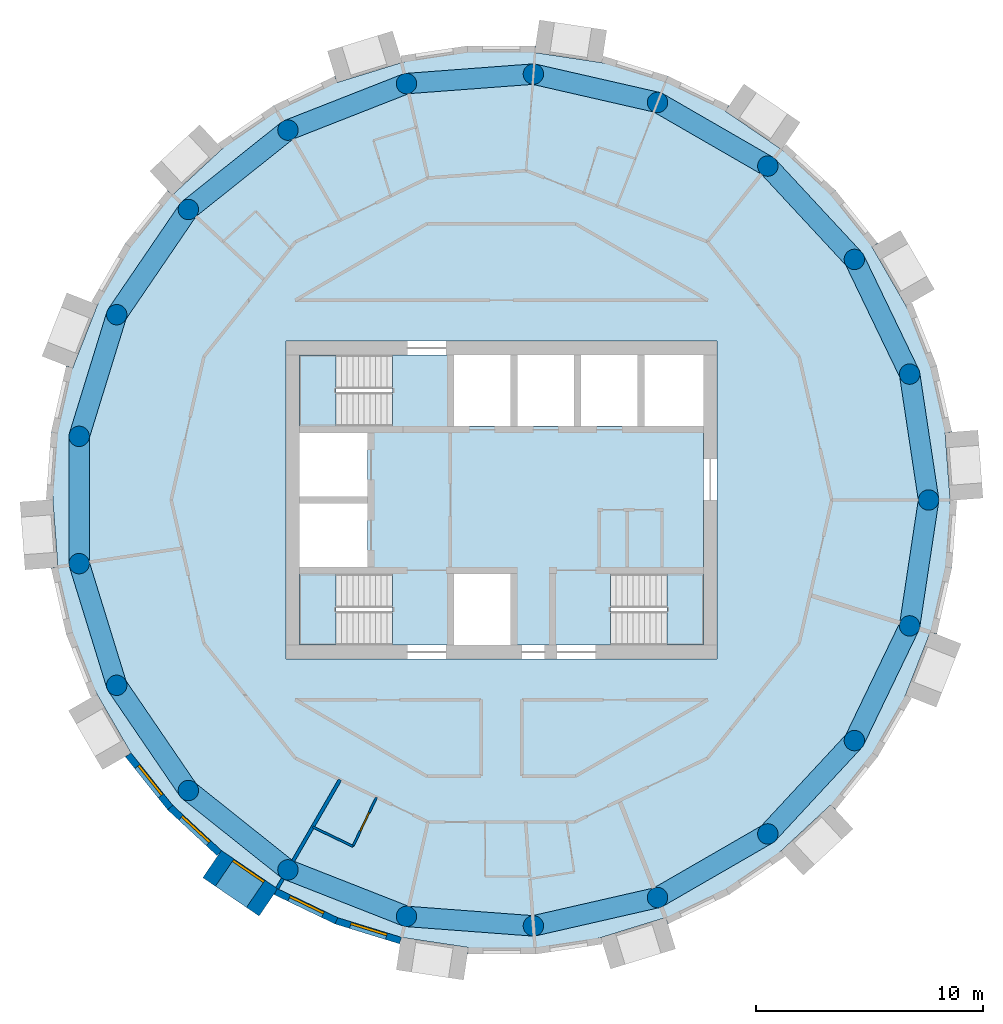
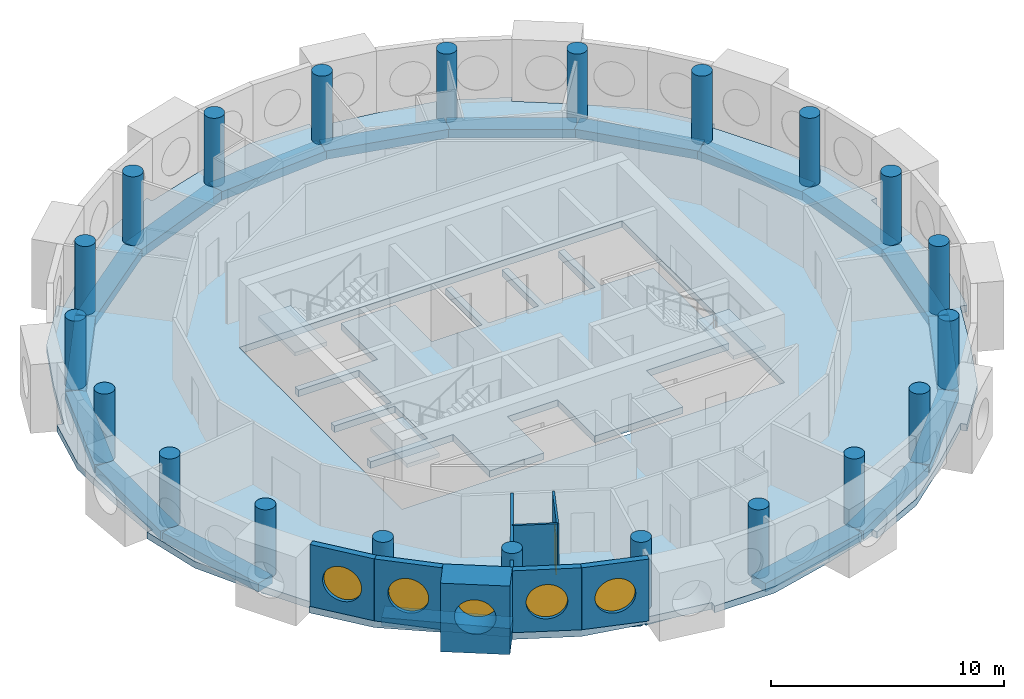
# One storey, part 1 of 13: 21 beams, 21 columns, 8 walls, 5 slabs, 5 windows, 1 door, 6 openings, 3 elements without a shape of their own.
"""IFC4 building model written with IfcOpenShell, lengths in metres."""

import ifcopenshell
import ifcopenshell.guid

model = None  # the IFC model being written
_history = None  # IfcOwnerHistory: only IFC2X3 demands one
_inside = {}  # id of a spatial element -> (the spatial element, [elements in it])
_under = {}  # id of a project, library or spatial element -> (it, [spatial elements below it])
_declared = {}  # id of a project -> (the project, [libraries it declares])
_typed = {}  # id of a type object -> (the type object, [elements of that type])
_made_of = {}  # id of a material, layer set ... -> (it, [elements and type objects made of it])


def new_model(schema):
    """Start an empty IFC model of exactly this schema.

    Asked for "IFC4X3", IfcOpenShell would pick the latest addendum, in which some entities
    have other attributes; the version numbers below select the first issue.
    IFC2X3 requires an IfcOwnerHistory on every rooted entity: one is made here for all.
    """
    global model, _history
    if schema == "IFC4X3":
        model = ifcopenshell.file(schema_version=(4, 3, 0, 0))
    else:
        model = ifcopenshell.file(schema=schema)
    _inside.clear()
    _under.clear()
    _declared.clear()
    _typed.clear()
    _made_of.clear()
    _history = None
    if model.schema == "IFC2X3":
        org = make("IfcOrganization", Name="unknown")
        user = make(
            "IfcPersonAndOrganization",
            ThePerson=make("IfcPerson", FamilyName="unknown"),
            TheOrganization=org,
        )
        app = make(
            "IfcApplication",
            ApplicationDeveloper=org,
            Version="unknown",
            ApplicationFullName="unknown",
            ApplicationIdentifier="unknown",
        )
        _history = make(
            "IfcOwnerHistory",
            OwningUser=user,
            OwningApplication=app,
            ChangeAction="ADDED",
            CreationDate=0,
        )
    return model


def make(cls, **values):
    """One entity of the class cls with the attributes given. An attribute that is None is left unset."""
    return model.create_entity(
        cls, **{name: value for name, value in values.items() if value is not None}
    )


def rooted(cls, **values):
    """An entity with a GlobalId (a new one), such as an element, a storey or a relation."""
    return make(cls, GlobalId=ifcopenshell.guid.new(), OwnerHistory=_history, **values)


def si_unit(unit_type, name, prefix=None):
    """IfcSIUnit, for example si_unit("LENGTHUNIT", "METRE", prefix="MILLI")."""
    return make("IfcSIUnit", UnitType=unit_type, Prefix=prefix, Name=name)


def assignment(units):
    """IfcUnitAssignment: the units of a project."""
    return None if units is None else make("IfcUnitAssignment", Units=units)


def point(xyz):
    """IfcCartesianPoint."""
    return None if xyz is None else make("IfcCartesianPoint", Coordinates=xyz)


def direction(xyz):
    """IfcDirection."""
    return None if xyz is None else make("IfcDirection", DirectionRatios=xyz)


def frame(location, z_axis=None, x_axis=None):
    """IfcAxis2Placement3D, a coordinate frame: its origin and axes. An axis left out is left unset."""
    return make(
        "IfcAxis2Placement3D",
        Location=point(location),
        Axis=direction(z_axis),
        RefDirection=direction(x_axis),
    )


def frame_2d(location, x_axis=None):
    """IfcAxis2Placement2D, a coordinate frame in the plane: its origin and x axis."""
    return make(
        "IfcAxis2Placement2D", Location=point(location), RefDirection=direction(x_axis)
    )


def origin():
    """The frame at (0, 0, 0) with its axes left unset."""
    return frame((0.0, 0.0, 0.0))


def origin_2d():
    """The frame at (0, 0) in the plane with its x axis left unset."""
    return frame_2d((0.0, 0.0))


def place(relative_to, where):
    """IfcLocalPlacement: puts the frame where relative to a parent placement (None: the world)."""
    return make(
        "IfcLocalPlacement", PlacementRelTo=relative_to, RelativePlacement=where
    )


def context(
    kind, dimensions, precision=None, world=None, true_north=None, identifier=None
):
    """IfcGeometricRepresentationContext, for example the 3D "Model" context."""
    return make(
        "IfcGeometricRepresentationContext",
        ContextIdentifier=identifier,
        ContextType=kind,
        CoordinateSpaceDimension=dimensions,
        Precision=precision,
        WorldCoordinateSystem=world,
        TrueNorth=true_north,
    )


def subcontext(parent, identifier, kind, view, scale=None):
    """IfcGeometricRepresentationSubContext, for example "Body" below "Model"."""
    return make(
        "IfcGeometricRepresentationSubContext",
        ContextIdentifier=identifier,
        ContextType=kind,
        ParentContext=parent,
        TargetScale=scale,
        TargetView=view,
    )


def project(units=None, contexts=None):
    """IfcProject with its units and contexts."""
    return rooted(
        "IfcProject",
        Name="project",
        RepresentationContexts=contexts,
        UnitsInContext=assignment(units),
    )


def spatial(cls, under=None, at=None, **own):
    """A site, building, storey or space (cls), placed at a placement, below another one or the project."""
    s = rooted(cls, ObjectPlacement=at, **own)
    if under is not None:
        _under.setdefault(under.id(), (under, []))[1].append(s)
    return s


def polyline(points):
    """IfcPolyline through the points."""
    return make("IfcPolyline", Points=[point(p) for p in points])


def profile(cls, at=None, kind="AREA", **sizes):
    """A parametric profile (cls). Its sizes go by their IFC names, for example OverallWidth=200.0."""
    return make(cls, ProfileType=kind, Position=at, **sizes)


def rectangle(**sizes):
    """IfcRectangleProfileDef."""
    return profile("IfcRectangleProfileDef", **sizes)


def circle(**sizes):
    """IfcCircleProfileDef."""
    return profile("IfcCircleProfileDef", **sizes)


def outline(outer, holes=None, kind="AREA"):
    """IfcArbitraryClosedProfileDef: a profile drawn as a closed curve; with holes, ...WithVoids."""
    if holes is None:
        return make("IfcArbitraryClosedProfileDef", ProfileType=kind, OuterCurve=outer)
    return make(
        "IfcArbitraryProfileDefWithVoids",
        ProfileType=kind,
        OuterCurve=outer,
        InnerCurves=holes,
    )


def extrude(swept, where, along, depth):
    """IfcExtrudedAreaSolid: the profile swept, set in the frame where, extruded along a direction by depth."""
    return make(
        "IfcExtrudedAreaSolid",
        SweptArea=swept,
        Position=where,
        ExtrudedDirection=direction(along),
        Depth=depth,
    )


def shape(context_of_items, identifier, shape_type, items):
    """IfcShapeRepresentation: the items that make up one representation, for example the "Body"."""
    return make(
        "IfcShapeRepresentation",
        ContextOfItems=context_of_items,
        RepresentationIdentifier=identifier,
        RepresentationType=shape_type,
        Items=items,
    )


def material(Name=None, Category=None):
    """IfcMaterial."""
    return make("IfcMaterial", Name=Name, Category=Category)


def layer(
    of_material, thickness, ventilated=None, Name=None, Category=None, Priority=None
):
    """IfcMaterialLayer: one layer of a wall or slab, of a material (None: an air gap)."""
    return make(
        "IfcMaterialLayer",
        Material=of_material,
        LayerThickness=thickness,
        IsVentilated=ventilated,
        Name=Name,
        Category=Category,
        Priority=Priority,
    )


def layer_set(layers, Name=None):
    """IfcMaterialLayerSet."""
    return make("IfcMaterialLayerSet", MaterialLayers=layers, LayerSetName=Name)


def material_profile(
    of_material, cross_section, Name=None, Category=None, Priority=None
):
    """IfcMaterialProfile: a cross section and its material."""
    return make(
        "IfcMaterialProfile",
        Name=Name,
        Material=of_material,
        Profile=cross_section,
        Priority=Priority,
        Category=Category,
    )


def profile_set(profiles, Name=None, composite=None):
    """IfcMaterialProfileSet."""
    return make(
        "IfcMaterialProfileSet",
        Name=Name,
        MaterialProfiles=profiles,
        CompositeProfile=composite,
    )


def made_of(thing, what):
    """Note that an element or type object is made of a material, layer set ...; save() writes the relation."""
    if what is not None:
        _made_of.setdefault(what.id(), (what, []))[1].append(thing)
    return thing


def type_object(cls, material=None, **own):
    """A type object (cls), such as IfcWallType, which elements share."""
    return made_of(rooted(cls, **own), material)


def element(
    cls,
    number,
    at=None,
    inside=None,
    cuts=None,
    type_object=None,
    material=None,
    context=None,
    identifier="Body",
    shape_type=None,
    held_by="IfcProductDefinitionShape",
    body=None,
    shapes=None,
    **own,
):
    """One element of the class cls, such as IfcWall. Its Tag is "e" and its number.

    at: its placement. inside: the storey or other place that contains it. cuts: it is an
    opening in that element (IfcRelVoidsElement). A single representation is given by context,
    identifier, shape_type and body (its items); several are given by shapes. held_by: the class
    of the entity that holds the representations. save() writes the other relations.
    """
    e = rooted(cls, Tag="e%d" % number, ObjectPlacement=at, **own)
    if body is not None:
        shapes = [shape(context, identifier, shape_type, body)]
    if shapes is not None:
        e.Representation = make(held_by, Representations=shapes)
    if inside is not None:
        _inside.setdefault(inside.id(), (inside, []))[1].append(e)
    if cuts is not None:
        rooted(
            "IfcRelVoidsElement", RelatingBuildingElement=cuts, RelatedOpeningElement=e
        )
    if type_object is not None:
        _typed.setdefault(type_object.id(), (type_object, []))[1].append(e)
    return made_of(e, material)


def fill(opening, filler):
    """IfcRelFillsElement: the door or window that sits in an opening."""
    return rooted(
        "IfcRelFillsElement",
        RelatingOpeningElement=opening,
        RelatedBuildingElement=filler,
    )


def aggregate(whole, parts):
    """IfcRelAggregates: a whole, such as a stair, and the parts it consists of."""
    return rooted("IfcRelAggregates", RelatingObject=whole, RelatedObjects=parts)


def save(model, path):
    """Write the relations noted so far, then the file.

    IfcRelAggregates (storeys below a building ...), IfcRelContainedInSpatialStructure (elements
    in a storey), IfcRelDefinesByType, IfcRelAssociatesMaterial and IfcRelDeclares: one each for
    every whole, place, type object, material and project.
    """
    for whole, parts in _under.values():
        aggregate(whole, parts)
    for where, things in _inside.values():
        rooted(
            "IfcRelContainedInSpatialStructure",
            RelatedElements=things,
            RelatingStructure=where,
        )
    for kind, things in _typed.values():
        rooted("IfcRelDefinesByType", RelatedObjects=things, RelatingType=kind)
    for what, things in _made_of.values():
        rooted("IfcRelAssociatesMaterial", RelatedObjects=things, RelatingMaterial=what)
    for by, libraries in _declared.values():
        rooted("IfcRelDeclares", RelatingContext=by, RelatedDefinitions=libraries)
    model.write(path)


model = new_model("IFC4")

# Units and contexts
model_context = context("Model", 3, precision=1e-05, world=origin(), true_north=direction((0.0, 1.0)))
body_context = subcontext(model_context, "Body", "Model", "MODEL_VIEW")
ifc_project = project(units=[si_unit("LENGTHUNIT", "METRE"), si_unit("AREAUNIT", "SQUARE_METRE"), si_unit("VOLUMEUNIT", "CUBIC_METRE"), si_unit("PLANEANGLEUNIT", "RADIAN"), si_unit("MASSUNIT", "GRAM", prefix="KILO")], contexts=[model_context])

# Site, building, storey
site_placement = place(None, origin())
site = spatial("IfcSite", under=ifc_project, at=site_placement, CompositionType="ELEMENT")
building_placement = place(site_placement, origin())
building = spatial("IfcBuilding", under=site, at=building_placement, Name="Tracery Tower", CompositionType="ELEMENT")
storey_placement = place(building_placement, frame((0.0, 0.0, 316.199951171875)))
storey = spatial("IfcBuildingStorey", under=building, at=storey_placement, Name="L82", CompositionType="ELEMENT", Elevation=316.199951171875)

# Columns
ifc_material_1 = material(Name="Concrete C40/50", Category="concrete")
ifc_material_profile_1 = material_profile(ifc_material_1, circle(Radius=0.449951171875, at=origin_2d()), Name="RC D900")
ifc_profile_set_1 = profile_set([ifc_material_profile_1], Name="Concrete C40/50")
column_type = type_object("IfcColumnType", Name="Ring 2 column 900", PredefinedType="COLUMN", material=ifc_profile_set_1)
for number, where, z_axis, x_axis, name in (
    (1, (18.822265625, 0.0, 0.0), (0.0, 0.0, 1.0), (1.0, 0.0, 0.0), "Ring 2 column 00 at L82"),
    (2, (17.986083984375, 5.5478515625, 0.0), (0.0, 0.0, 1.0), (1.0, 0.0, 0.0), "Ring 2 column 01 at L82"),
    (3, (15.551513671875, 10.602783203125, 0.0), (0.0, 0.0, 1.0), (1.0, 0.0, 0.0), "Ring 2 column 02 at L82"),
    (4, (11.7353515625, 14.7158203125, 0.0), (0.0, 0.0, 1.0), (1.0, 0.0, 0.0), "Ring 2 column 03 at L82"),
    (5, (6.87646484375, 17.52099609375, 0.0), (0.0, 0.0, 1.0), (1.0, 0.0, 0.0), "Ring 2 column 04 at L82"),
    (6, (1.406494140625, 18.76953125, 0.0), (0.0, 0.0, 1.0), (1.0, 0.0, 0.0), "Ring 2 column 05 at L82"),
    (7, (-4.188232421875, 18.350341796875, 0.0), (0.0, 0.0, 1.0), (1.0, 0.0, 0.0), "Ring 2 column 06 at L82"),
    (8, (-9.4111328125, 16.300537109375, 0.0), (0.0, 0.0, 1.0), (1.0, 0.0, 0.0), "Ring 2 column 07 at L82"),
    (9, (-13.797607421875, 12.802490234375, 0.0), (0.0, 0.0, 1.0), (1.0, 0.0, 0.0), "Ring 2 column 08 at L82"),
    (10, (-16.958251953125, 8.16650390625, 0.0), (0.0, 0.0, 1.0), (1.0, 0.0, 0.0), "Ring 2 column 09 at L82"),
    (11, (-18.612060546875, 2.805419921875, 0.0), (0.0, 0.0, 1.0), (1.0, 0.0, 0.0), "Ring 2 column 10 at L82"),
    (12, (-18.612060546875, -2.805419921875, 0.0), (0.0, 0.0, 1.0), (1.0, 0.0, 0.0), "Ring 2 column 11 at L82"),
    (13, (-16.958251953125, -8.166748046875, 0.0), (0.0, 0.0, 1.0), (1.0, 0.0, 0.0), "Ring 2 column 12 at L82"),
    (14, (-13.797607421875, -12.80224609375, 0.0), (0.0, 0.0, 1.0), (1.0, 0.0, 0.0), "Ring 2 column 13 at L82"),
    (15, (-9.4111328125, -16.300537109375, 0.0), (0.0, 0.0, 1.0), (1.0, 0.0, 0.0), "Ring 2 column 14 at L82"),
    (16, (-4.188232421875, -18.350341796875, 0.0), (0.0, 0.0, 1.0), (1.0, 0.0, 0.0), "Ring 2 column 15 at L82"),
    (17, (1.406494140625, -18.76953125, 0.0), (0.0, 0.0, 1.0), (1.0, 0.0, 0.0), "Ring 2 column 16 at L82"),
    (18, (6.87646484375, -17.52099609375, 0.0), (0.0, 0.0, 1.0), (1.0, 0.0, 0.0), "Ring 2 column 17 at L82"),
    (19, (11.7353515625, -14.7158203125, 0.0), (0.0, 0.0, 1.0), (1.0, 0.0, 0.0), "Ring 2 column 18 at L82"),
    (20, (15.551513671875, -10.602783203125, 0.0), (0.0, 0.0, 1.0), (1.0, 0.0, 0.0), "Ring 2 column 19 at L82"),
    (21, (17.986083984375, -5.5478515625, 0.0), (0.0, 0.0, 1.0), (1.0, 0.0, 0.0), "Ring 2 column 20 at L82"),
):
    element("IfcColumn", number, at=place(storey_placement, frame(where, z_axis=z_axis, x_axis=x_axis)), inside=storey, type_object=column_type, Name=name, PredefinedType="COLUMN", context=body_context, shape_type="SweptSolid", body=[
        extrude(circle(Radius=0.449951171875, at=origin_2d()), origin(), (0.0, 0.0, 1.0), 3.60009765625),
    ])

# Beams
ifc_material_2 = material(Name="Concrete C40/50", Category="concrete")
ifc_material_profile_2 = material_profile(ifc_material_2, rectangle(XDim=0.89990234375, YDim=0.449951171875, at=origin_2d()), Name="RC 900x450")
ifc_profile_set_2 = profile_set([ifc_material_profile_2], Name="Concrete C40/50")
beam_type = type_object("IfcBeamType", Name="Perimeter band beam 900x450", PredefinedType="BEAM", material=ifc_profile_set_2)
for number, where, z_axis, x_axis, name in (
    (22, (18.822265625, 0.0, -0.574951171875), (-0.149038355855, 0.988831415603, 0.0), (-0.988831415603, -0.149038355855, 0.0), "Perimeter beam 2.00 under L82"),
    (23, (17.986083984375, 5.5478515625, -0.574951171875), (-0.433918973155, 0.900951899235, 0.0), (-0.900951899235, -0.433918973155, 0.0), "Perimeter beam 2.01 under L82"),
):
    element("IfcBeam", number, at=place(storey_placement, frame(where, z_axis=z_axis, x_axis=x_axis)), inside=storey, type_object=beam_type, Name=name, PredefinedType="BEAM", context=body_context, shape_type="SweptSolid", body=[
        extrude(rectangle(XDim=0.89990234375, YDim=0.449951171875, at=origin_2d()), origin(), (0.0, 0.0, 1.0), 5.610595703125),
    ])
beam_1_placement = place(storey_placement, frame((15.551513671875, 10.602783203125, -0.574951171875), z_axis=(-0.680155630824, 0.733067744386, 0.0), x_axis=(-0.733067744386, -0.680155630824, 0.0)))
element("IfcBeam", 24, at=beam_1_placement, inside=storey, type_object=beam_type, Name="Perimeter beam 2.02 under L82", PredefinedType="BEAM", context=body_context, shape_type="SweptSolid", body=[
    extrude(rectangle(XDim=0.89990234375, YDim=0.449951171875, at=origin_2d()), origin(), (0.0, 0.0, 1.0), 5.61083984375),
])
for number, where, z_axis, x_axis, name in (
    (25, (11.7353515625, 14.7158203125, -0.574951171875), (-0.866033412818, 0.49998612769, 0.0), (-0.49998612769, -0.866033412818, 0.0), "Perimeter beam 2.03 under L82"),
    (26, (6.87646484375, 17.52099609375, -0.574951171875), (-0.974925977366, 0.222529410768, 0.0), (-0.222529410768, -0.974925977366, 0.0), "Perimeter beam 2.04 under L82"),
):
    element("IfcBeam", number, at=place(storey_placement, frame(where, z_axis=z_axis, x_axis=x_axis)), inside=storey, type_object=beam_type, Name=name, PredefinedType="BEAM", context=body_context, shape_type="SweptSolid", body=[
        extrude(rectangle(XDim=0.89990234375, YDim=0.449951171875, at=origin_2d()), origin(), (0.0, 0.0, 1.0), 5.610595703125),
    ])
beam_2_placement = place(storey_placement, frame((1.406494140625, 18.76953125, -0.574951171875), z_axis=(-0.997204824387, -0.07471638521, 0.0), x_axis=(0.07471638521, -0.997204824387, 0.0)))
element("IfcBeam", 27, at=beam_2_placement, inside=storey, type_object=beam_type, Name="Perimeter beam 2.05 under L82", PredefinedType="BEAM", context=body_context, shape_type="SweptSolid", body=[
    extrude(rectangle(XDim=0.89990234375, YDim=0.449951171875, at=origin_2d()), origin(), (0.0, 0.0, 1.0), 5.6103515625),
])
beam_3_placement = place(storey_placement, frame((-4.188232421875, 18.350341796875, -0.574951171875), z_axis=(-0.930875728468, -0.365335979817, 0.0), x_axis=(0.365335979817, -0.930875728468, 0.0)))
element("IfcBeam", 28, at=beam_3_placement, inside=storey, type_object=beam_type, Name="Perimeter beam 2.06 under L82", PredefinedType="BEAM", context=body_context, shape_type="SweptSolid", body=[
    extrude(rectangle(XDim=0.89990234375, YDim=0.449951171875, at=origin_2d()), origin(), (0.0, 0.0, 1.0), 5.61083984375),
])
beam_4_placement = place(storey_placement, frame((-9.4111328125, 16.300537109375, -0.574951171875), z_axis=(-0.781835817725, -0.623484365579, 0.0), x_axis=(0.623484365579, -0.781835817725, 0.0)))
element("IfcBeam", 29, at=beam_4_placement, inside=storey, type_object=beam_type, Name="Perimeter beam 2.07 under L82", PredefinedType="BEAM", context=body_context, shape_type="SweptSolid", body=[
    extrude(rectangle(XDim=0.89990234375, YDim=0.449951171875, at=origin_2d()), origin(), (0.0, 0.0, 1.0), 5.610595703125),
])
beam_5_placement = place(storey_placement, frame((-13.797607421875, 12.802490234375, -0.574951171875), z_axis=(-0.563305770578, -0.826248515178, 0.0), x_axis=(0.826248515178, -0.563305770578, 0.0)))
element("IfcBeam", 30, at=beam_5_placement, inside=storey, type_object=beam_type, Name="Perimeter beam 2.08 under L82", PredefinedType="BEAM", context=body_context, shape_type="SweptSolid", body=[
    extrude(rectangle(XDim=0.89990234375, YDim=0.449951171875, at=origin_2d()), origin(), (0.0, 0.0, 1.0), 5.61083984375),
])
beam_6_placement = place(storey_placement, frame((-16.958251953125, 8.16650390625, -0.574951171875), z_axis=(-0.294776851839, -0.955566118916, 0.0), x_axis=(0.955566118916, -0.294776851839, 0.0)))
element("IfcBeam", 31, at=beam_6_placement, inside=storey, type_object=beam_type, Name="Perimeter beam 2.09 under L82", PredefinedType="BEAM", context=body_context, shape_type="SweptSolid", body=[
    extrude(rectangle(XDim=0.89990234375, YDim=0.449951171875, at=origin_2d()), origin(), (0.0, 0.0, 1.0), 5.6103515625),
])
beam_7_placement = place(storey_placement, frame((-18.612060546875, 2.805419921875, -0.574951171875), z_axis=(0.0, -1.0, 0.0), x_axis=(1.0, 0.0, 0.0)))
element("IfcBeam", 32, at=beam_7_placement, inside=storey, type_object=beam_type, Name="Perimeter beam 2.10 under L82", PredefinedType="BEAM", context=body_context, shape_type="SweptSolid", body=[
    extrude(rectangle(XDim=0.89990234375, YDim=0.449951171875, at=origin_2d()), origin(), (0.0, 0.0, 1.0), 5.61083984375),
])
for number, where, z_axis, x_axis, name in (
    (33, (-18.612060546875, -2.805419921875, -0.574951171875), (0.294764594813, -0.955569899926, 0.0), (0.955569899926, 0.294764594813, 0.0), "Perimeter beam 2.11 under L82"),
    (34, (-16.958251953125, -8.166748046875, -0.574951171875), (0.5633462764, -0.826220898348, 0.0), (0.826220898348, 0.5633462764, 0.0), "Perimeter beam 2.12 under L82"),
    (35, (-13.797607421875, -12.80224609375, -0.574951171875), (0.781814605872, -0.623510963853, 0.0), (0.623510963853, 0.781814605872, 0.0), "Perimeter beam 2.13 under L82"),
):
    element("IfcBeam", number, at=place(storey_placement, frame(where, z_axis=z_axis, x_axis=x_axis)), inside=storey, type_object=beam_type, Name=name, PredefinedType="BEAM", context=body_context, shape_type="SweptSolid", body=[
        extrude(rectangle(XDim=0.89990234375, YDim=0.449951171875, at=origin_2d()), origin(), (0.0, 0.0, 1.0), 5.610595703125),
    ])
beam_8_placement = place(storey_placement, frame((-9.4111328125, -16.300537109375, -0.574951171875), z_axis=(0.930875728468, -0.365335979817, 0.0), x_axis=(0.365335979817, 0.930875728468, 0.0)))
element("IfcBeam", 36, at=beam_8_placement, inside=storey, type_object=beam_type, Name="Perimeter beam 2.14 under L82", PredefinedType="BEAM", context=body_context, shape_type="SweptSolid", body=[
    extrude(rectangle(XDim=0.89990234375, YDim=0.449951171875, at=origin_2d()), origin(), (0.0, 0.0, 1.0), 5.61083984375),
])
beam_9_placement = place(storey_placement, frame((-4.188232421875, -18.350341796875, -0.574951171875), z_axis=(0.997204824387, -0.07471638521, 0.0), x_axis=(0.07471638521, 0.997204824387, 0.0)))
element("IfcBeam", 37, at=beam_9_placement, inside=storey, type_object=beam_type, Name="Perimeter beam 2.15 under L82", PredefinedType="BEAM", context=body_context, shape_type="SweptSolid", body=[
    extrude(rectangle(XDim=0.89990234375, YDim=0.449951171875, at=origin_2d()), origin(), (0.0, 0.0, 1.0), 5.6103515625),
])
for number, where, z_axis, x_axis, name in (
    (38, (1.406494140625, -18.76953125, -0.574951171875), (0.974925977366, 0.222529410768, 0.0), (-0.222529410768, 0.974925977366, 0.0), "Perimeter beam 2.16 under L82"),
    (39, (6.87646484375, -17.52099609375, -0.574951171875), (0.866033412818, 0.49998612769, 0.0), (-0.49998612769, 0.866033412818, 0.0), "Perimeter beam 2.17 under L82"),
):
    element("IfcBeam", number, at=place(storey_placement, frame(where, z_axis=z_axis, x_axis=x_axis)), inside=storey, type_object=beam_type, Name=name, PredefinedType="BEAM", context=body_context, shape_type="SweptSolid", body=[
        extrude(rectangle(XDim=0.89990234375, YDim=0.449951171875, at=origin_2d()), origin(), (0.0, 0.0, 1.0), 5.610595703125),
    ])
beam_10_placement = place(storey_placement, frame((11.7353515625, -14.7158203125, -0.574951171875), z_axis=(0.680155630824, 0.733067744386, 0.0), x_axis=(-0.733067744386, 0.680155630824, 0.0)))
element("IfcBeam", 40, at=beam_10_placement, inside=storey, type_object=beam_type, Name="Perimeter beam 2.18 under L82", PredefinedType="BEAM", context=body_context, shape_type="SweptSolid", body=[
    extrude(rectangle(XDim=0.89990234375, YDim=0.449951171875, at=origin_2d()), origin(), (0.0, 0.0, 1.0), 5.61083984375),
])
for number, where, z_axis, x_axis, name in (
    (41, (15.551513671875, -10.602783203125, -0.574951171875), (0.433918973155, 0.900951899235, 0.0), (-0.900951899235, 0.433918973155, 0.0), "Perimeter beam 2.19 under L82"),
    (42, (17.986083984375, -5.5478515625, -0.574951171875), (0.149038355855, 0.988831415603, 0.0), (-0.988831415603, 0.149038355855, 0.0), "Perimeter beam 2.20 under L82"),
):
    element("IfcBeam", number, at=place(storey_placement, frame(where, z_axis=z_axis, x_axis=x_axis)), inside=storey, type_object=beam_type, Name=name, PredefinedType="BEAM", context=body_context, shape_type="SweptSolid", body=[
        extrude(rectangle(XDim=0.89990234375, YDim=0.449951171875, at=origin_2d()), origin(), (0.0, 0.0, 1.0), 5.610595703125),
    ])

# Slabs
ifc_material_3 = material(Name="Concrete C40/50", Category="concrete")
ifc_layer_1 = layer(ifc_material_3, 0.35009765625)
ifc_layer_set_1 = layer_set([ifc_layer_1], Name="Core floor slab 350 C40")
slab_type_1 = type_object("IfcSlabType", Name="Core floor slab 350 C40", PredefinedType="FLOOR", material=ifc_layer_set_1)
slab_1_placement = place(storey_placement, frame((0.0, 0.0, -0.349853515625)))
element("IfcSlab", 43, at=slab_1_placement, inside=storey, type_object=slab_type_1, Name="L82 core floor 1", PredefinedType="FLOOR", context=body_context, shape_type="SweptSolid", body=[
    extrude(outline(polyline([(-4.800537109375, -3.25), (-8.89990234375, -3.25), (-8.89990234375, -2.949951171875), (-5.89990234375, -2.949951171875), (-5.89990234375, -0.14990234375), (-8.89990234375, -0.14990234375), (-8.89990234375, 0.14990234375), (-5.89990234375, 0.14990234375), (-5.89990234375, 2.949951171875), (-8.89990234375, 2.949951171875), (-8.89990234375, 3.25), (-4.800537109375, 3.25), (-4.800537109375, 6.39990234375), (-2.10009765625, 6.39990234375), (-2.10009765625, 3.25), (0.39990234375, 3.25), (0.39990234375, 6.39990234375), (0.699951171875, 6.39990234375), (0.699951171875, 3.25), (3.199951171875, 3.25), (3.199951171875, 6.39990234375), (3.5, 6.39990234375), (3.5, 3.25), (6.0, 3.25), (6.0, 6.39990234375), (6.300048828125, 6.39990234375), (6.300048828125, 3.25), (8.89990234375, 3.25), (8.89990234375, -3.25), (4.800537109375, -3.25), (4.800537109375, -6.39990234375), (0.39990234375, -6.39990234375), (0.39990234375, -3.25), (-2.10009765625, -3.25), (-2.10009765625, -6.39990234375), (-4.800537109375, -6.39990234375), (-4.800537109375, -3.25)])), origin(), (0.0, 0.0, 1.0), 0.349853515625),
])
ifc_material_4 = material(Name="Concrete C40/50", Category="concrete")
ifc_layer_2 = layer(ifc_material_4, 0.35009765625)
ifc_layer_set_2 = layer_set([ifc_layer_2], Name="Floor slab 350")
slab_type_2 = type_object("IfcSlabType", Name="Floor slab 350", PredefinedType="FLOOR", material=ifc_layer_set_2)
slab_2_placement = place(storey_placement, frame((0.0, 0.0, -0.349853515625)))
element("IfcSlab", 44, at=slab_2_placement, inside=storey, type_object=slab_type_2, Name="Floor slab L82", PredefinedType="FLOOR", context=body_context, shape_type="SweptSolid", body=[
    extrude(outline(polyline([(19.550537109375, 2.94677734375), (19.548828125, 2.96923828125), (19.847900390625, 2.99169921875), (19.180419921875, 5.91650390625), (17.813720703125, 8.577880859375), (16.32470703125, 11.156982421875), (16.583984375, 11.306884765625), (16.58447265625, 11.30712890625), (14.714111328125, 13.652587890625), (12.3271484375, 15.4580078125), (9.8671875, 17.13525390625), (10.0361328125, 17.383056640625), (7.333251953125, 18.684814453125), (4.3994140625, 19.275634765625), (2.3466796875, 19.585205078125), (1.455322265625, 19.719482421875), (1.5, 20.01611328125), (1.5, 20.01611328125), (-1.5, 20.01611328125), (-4.3994140625, 19.275634765625), (-7.223388671875, 18.404541015625), (-7.223388671875, 18.404541015625), (-7.244873046875, 18.39794921875), (-7.333251953125, 18.684814453125), (-10.0361328125, 17.383056640625), (-12.3271484375, 15.4580078125), (-14.493408203125, 13.447998046875), (-14.493408203125, 13.447998046875), (-14.510009765625, 13.4326171875), (-14.714111328125, 13.652587890625), (-14.714111328125, 13.652587890625), (-16.58447265625, 11.30712890625), (-17.81298828125, 8.5791015625), (-18.901123046875, 5.806884765625), (-19.180419921875, 5.91650390625), (-19.847900390625, 2.99169921875), (-19.771484375, 0.000732421875), (-19.63720703125, -1.789306640625), (-19.550537109375, -2.94677734375), (-19.550537109375, -2.94677734375), (-19.548828125, -2.96923828125), (-19.847900390625, -2.99169921875), (-19.180419921875, -5.91650390625), (-17.813720703125, -8.577880859375), (-16.32470703125, -11.156982421875), (-16.583984375, -11.306884765625), (-16.58447265625, -11.30712890625), (-14.714111328125, -13.652587890625), (-12.3271484375, -15.4580078125), (-9.8671875, -17.13525390625), (-10.0361328125, -17.383056640625), (-7.333251953125, -18.684814453125), (-4.3994140625, -19.275634765625), (-2.3466796875, -19.585205078125), (-1.455322265625, -19.719482421875), (-1.5, -20.01611328125), (-1.5, -20.01611328125), (1.5, -20.01611328125), (4.3994140625, -19.275634765625), (7.223388671875, -18.404541015625), (7.223388671875, -18.404541015625), (7.244873046875, -18.39794921875), (7.333251953125, -18.684814453125), (10.0361328125, -17.383056640625), (12.3271484375, -15.4580078125), (14.493408203125, -13.447998046875), (14.493408203125, -13.447998046875), (14.510009765625, -13.4326171875), (14.714111328125, -13.652587890625), (14.714111328125, -13.652587890625), (16.58447265625, -11.30712890625), (17.81298828125, -8.5791015625), (18.901123046875, -5.806884765625), (19.180419921875, -5.91650390625), (19.847900390625, -2.99169921875), (19.771484375, -0.000732421875), (19.63720703125, 1.789306640625), (19.550537109375, 2.94677734375), (19.550537109375, 2.94677734375)]), holes=[polyline([(-9.5, -7.0), (9.5, -7.0), (9.5, 7.0), (-9.5, 7.0), (-9.5, -7.0)])]), origin(), (0.0, 0.0, 1.0), 0.349853515625),
])

# Stair, slab
ifc_material_5 = material(Name="Concrete C32/40", Category="concrete")
stair_type = type_object("IfcStairType", Name="Core stair 22 risers", PredefinedType="HALF_TURN_STAIR", material=ifc_material_5)
stair_1_placement = place(storey_placement, origin())
stair_1 = element("IfcStair", 45, at=stair_1_placement, inside=storey, type_object=stair_type, Name="L82 stair ST1", PredefinedType="HALF_TURN_STAIR")
ifc_material_6 = material(Name="Concrete C32/40", Category="concrete")
ifc_layer_3 = layer(ifc_material_6, 0.199951171875)
ifc_layer_set_3 = layer_set([ifc_layer_3], Name="Stair landing slab 200")
slab_type_3 = type_object("IfcSlabType", Name="Stair landing slab 200", PredefinedType="LANDING", material=ifc_layer_set_3)
slab_3_placement = place(storey_placement, frame((0.0, 0.0, 1.60009765625)))
slab_3 = element("IfcSlab", 46, at=slab_3_placement, type_object=slab_type_3, Name="ST1 landing 1", PredefinedType="LANDING", context=body_context, shape_type="SweptSolid", body=[
    extrude(outline(polyline([(-7.29931640625, -3.25), (-8.89990234375, -3.25), (-8.89990234375, -6.39990234375), (-7.29931640625, -6.39990234375), (-7.29931640625, -3.25)])), origin(), (0.0, 0.0, 1.0), 0.199951171875),
])
aggregate(stair_1, [slab_3])

stair_2_placement = place(storey_placement, origin())
stair_2 = element("IfcStair", 47, at=stair_2_placement, inside=storey, type_object=stair_type, Name="L82 stair ST3", PredefinedType="HALF_TURN_STAIR")
slab_4_placement = place(storey_placement, frame((0.0, 0.0, 1.60009765625)))
slab_4 = element("IfcSlab", 48, at=slab_4_placement, type_object=slab_type_3, Name="ST3 landing 1", PredefinedType="LANDING", context=body_context, shape_type="SweptSolid", body=[
    extrude(outline(polyline([(-7.29931640625, 6.39990234375), (-8.89990234375, 6.39990234375), (-8.89990234375, 3.25), (-7.29931640625, 3.25), (-7.29931640625, 6.39990234375)])), origin(), (0.0, 0.0, 1.0), 0.199951171875),
])
aggregate(stair_2, [slab_4])

stair_3_placement = place(storey_placement, origin())
stair_3 = element("IfcStair", 49, at=stair_3_placement, inside=storey, type_object=stair_type, Name="L82 stair ST2", PredefinedType="HALF_TURN_STAIR")
slab_5_placement = place(storey_placement, frame((0.0, 0.0, 1.60009765625)))
slab_5 = element("IfcSlab", 50, at=slab_5_placement, type_object=slab_type_3, Name="ST2 landing 1", PredefinedType="LANDING", context=body_context, shape_type="SweptSolid", body=[
    extrude(outline(polyline([(7.29931640625, -6.39990234375), (8.89990234375, -6.39990234375), (8.89990234375, -3.25), (7.29931640625, -3.25), (7.29931640625, -6.39990234375)])), origin(), (0.0, 0.0, 1.0), 0.199951171875),
])
aggregate(stair_3, [slab_5])

# Wall, opening, window
ifc_material_7 = material(Name="Precast concrete C50/60", Category="concrete")
ifc_layer_4 = layer(ifc_material_7, 1.449951171875)
ifc_layer_set_4 = layer_set([ifc_layer_4], Name="Deep-set bay unit 3000 x 3600, slab edge 350")
wall_type_1 = type_object("IfcWallType", Name="Deep-set bay unit 3000 x 3600, slab edge 350", PredefinedType="ELEMENTEDWALL", material=ifc_layer_set_4)
wall_1_placement = place(storey_placement, frame((-12.754150390625, -16.044189453125, -0.349853515625), z_axis=(0.0, 0.0, 1.0), x_axis=(0.826246281157, -0.563309047392, 0.0)))
wall_1 = element("IfcWall", 51, at=wall_1_placement, inside=storey, type_object=wall_type_1, Name="Deep-set bay unit 28 at L82", PredefinedType="ELEMENTEDWALL", context=body_context, shape_type="SweptSolid", body=[
    extrude(rectangle(XDim=3.0, YDim=1.449951171875, at=frame_2d((1.5, 0.0))), origin(), (0.0, 0.0, 1.0), 3.599853515625),
])
opening_1_placement = place(wall_1_placement, frame((1.5, 0.0, 1.89990234375)))
opening_1 = element("IfcOpeningElement", 52, at=opening_1_placement, cuts=wall_1, Name="Opening WN1", PredefinedType="OPENING", context=body_context, shape_type="SweptSolid", body=[
    extrude(circle(Radius=0.9000244140625, at=origin_2d()), frame((0.0, 0.73486328125, 0.0), z_axis=(0.0, -1.0, 0.0), x_axis=(1.0, 0.0, 0.0)), (0.0, 0.0, 1.0), 1.469970703125),
])
ifc_material_8 = material(Name="Aluminium frame with tinted double glazing", Category="aluminium")
window_type = type_object("IfcWindowType", Name="Round window 1800", PartitioningType="SINGLE_PANEL", PredefinedType="WINDOW", material=ifc_material_8)
window_1_placement = place(opening_1_placement, origin())
window_1 = element("IfcWindow", 53, at=window_1_placement, inside=storey, type_object=window_type, Name="Round window 28 at L82", OverallHeight=1.800048828125, OverallWidth=1.800048828125, PartitioningType="SINGLE_PANEL", PredefinedType="WINDOW", context=body_context, shape_type="SweptSolid", body=[
    extrude(circle(Radius=0.9000244140625, at=origin_2d()), frame((0.0, 0.69482421875, 0.0), z_axis=(0.0, -1.0, 0.0), x_axis=(1.0, 0.0, 0.0)), (0.0, 0.0, 1.0), 0.10009765625),
])
fill(opening_1, window_1)

ifc_material_9 = material(Name="Precast concrete C50/60", Category="concrete")
ifc_layer_5 = layer(ifc_material_9, 0.300048828125)
ifc_layer_set_5 = layer_set([ifc_layer_5], Name="Facade panel 3000 x 3250")
wall_type_2 = type_object("IfcWallType", Name="Facade panel 3000 x 3250", PredefinedType="SOLIDWALL", material=ifc_layer_set_5)
wall_2_placement = place(storey_placement, frame((-16.45068359375, -11.234375, 0.0), z_axis=(0.0, 0.0, 1.0), x_axis=(0.623498236992, -0.781824755599, 0.0)))
wall_2 = element("IfcWall", 54, at=wall_2_placement, inside=storey, type_object=wall_type_2, Name="Facade panel 26 at L82", PredefinedType="SOLIDWALL", context=body_context, shape_type="SweptSolid", body=[
    extrude(rectangle(XDim=2.962158203125, YDim=0.300048828125, at=frame_2d((1.48095703125, 0.0))), origin(), (0.0, 0.0, 1.0), 3.25),
])
opening_2_placement = place(wall_2_placement, frame((1.48095703125, 0.0, 1.5498046875)))
opening_2 = element("IfcOpeningElement", 55, at=opening_2_placement, cuts=wall_2, Name="Opening WN1", PredefinedType="OPENING", context=body_context, shape_type="SweptSolid", body=[
    extrude(circle(Radius=0.9000244140625, at=origin_2d()), frame((0.0, 0.159912109375, 0.0), z_axis=(0.0, -1.0, 0.0), x_axis=(1.0, 0.0, 0.0)), (0.0, 0.0, 1.0), 0.320068359375),
])
window_2_placement = place(opening_2_placement, origin())
window_2 = element("IfcWindow", 56, at=window_2_placement, inside=storey, type_object=window_type, Name="Round window 26 at L82", OverallHeight=1.800048828125, OverallWidth=1.800048828125, PartitioningType="SINGLE_PANEL", PredefinedType="WINDOW", context=body_context, shape_type="SweptSolid", body=[
    extrude(circle(Radius=0.9000244140625, at=origin_2d()), frame((0.0, 0.1201171875, 0.0), z_axis=(0.0, -1.0, 0.0), x_axis=(1.0, 0.0, 0.0)), (0.0, 0.0, 1.0), 0.10009765625),
])
fill(opening_2, window_2)

wall_3_placement = place(storey_placement, frame((-14.603759765625, -13.55029296875, 0.0), z_axis=(0.0, 0.0, 1.0), x_axis=(0.733066412643, -0.680157066165, 0.0)))
wall_3 = element("IfcWall", 57, at=wall_3_placement, inside=storey, type_object=wall_type_2, Name="Facade panel 27 at L82", PredefinedType="SOLIDWALL", context=body_context, shape_type="SweptSolid", body=[
    extrude(rectangle(XDim=2.96240234375, YDim=0.300048828125, at=frame_2d((1.481201171875, 0.0))), origin(), (0.0, 0.0, 1.0), 3.25),
])
opening_3_placement = place(wall_3_placement, frame((1.48095703125, 0.0, 1.5498046875)))
opening_3 = element("IfcOpeningElement", 58, at=opening_3_placement, cuts=wall_3, Name="Opening WN1", PredefinedType="OPENING", context=body_context, shape_type="SweptSolid", body=[
    extrude(circle(Radius=0.9000244140625, at=origin_2d()), frame((0.0, 0.159912109375, 0.0), z_axis=(0.0, -1.0, 0.0), x_axis=(1.0, 0.0, 0.0)), (0.0, 0.0, 1.0), 0.320068359375),
])
window_3_placement = place(opening_3_placement, origin())
window_3 = element("IfcWindow", 59, at=window_3_placement, inside=storey, type_object=window_type, Name="Round window 27 at L82", OverallHeight=1.800048828125, OverallWidth=1.800048828125, PartitioningType="SINGLE_PANEL", PredefinedType="WINDOW", context=body_context, shape_type="SweptSolid", body=[
    extrude(circle(Radius=0.9000244140625, at=origin_2d()), frame((0.0, 0.1201171875, 0.0), z_axis=(0.0, -1.0, 0.0), x_axis=(1.0, 0.0, 0.0)), (0.0, 0.0, 1.0), 0.10009765625),
])
fill(opening_3, window_3)

wall_4_placement = place(storey_placement, frame((-9.947021484375, -17.25927734375, 0.0), z_axis=(0.0, 0.0, 1.0), x_axis=(0.900939615635, -0.433944476838, 0.0)))
wall_4 = element("IfcWall", 60, at=wall_4_placement, inside=storey, type_object=wall_type_2, Name="Facade panel 29 at L82", PredefinedType="SOLIDWALL", context=body_context, shape_type="SweptSolid", body=[
    extrude(rectangle(XDim=2.962158203125, YDim=0.300048828125, at=frame_2d((1.48095703125, 0.0))), origin(), (0.0, 0.0, 1.0), 3.25),
])
opening_4_placement = place(wall_4_placement, frame((1.48095703125, 0.0, 1.5498046875)))
opening_4 = element("IfcOpeningElement", 61, at=opening_4_placement, cuts=wall_4, Name="Opening WN1", PredefinedType="OPENING", context=body_context, shape_type="SweptSolid", body=[
    extrude(circle(Radius=0.9000244140625, at=origin_2d()), frame((0.0, 0.159912109375, 0.0), z_axis=(0.0, -1.0, 0.0), x_axis=(1.0, 0.0, 0.0)), (0.0, 0.0, 1.0), 0.320068359375),
])
window_4_placement = place(opening_4_placement, origin())
window_4 = element("IfcWindow", 62, at=window_4_placement, inside=storey, type_object=window_type, Name="Round window 29 at L82", OverallHeight=1.800048828125, OverallWidth=1.800048828125, PartitioningType="SINGLE_PANEL", PredefinedType="WINDOW", context=body_context, shape_type="SweptSolid", body=[
    extrude(circle(Radius=0.9000244140625, at=origin_2d()), frame((0.0, 0.1201171875, 0.0), z_axis=(0.0, -1.0, 0.0), x_axis=(1.0, 0.0, 0.0)), (0.0, 0.0, 1.0), 0.10009765625),
])
fill(opening_4, window_4)

wall_5_placement = place(storey_placement, frame((-7.2783203125, -18.544677734375, 0.0), z_axis=(0.0, 0.0, 1.0), x_axis=(0.95558635705, -0.294711238707, 0.0)))
wall_5 = element("IfcWall", 63, at=wall_5_placement, inside=storey, type_object=wall_type_2, Name="Facade panel 30 at L82", PredefinedType="SOLIDWALL", context=body_context, shape_type="SweptSolid", body=[
    extrude(rectangle(XDim=2.96240234375, YDim=0.300048828125, at=frame_2d((1.481201171875, 0.0))), origin(), (0.0, 0.0, 1.0), 3.25),
])
opening_5_placement = place(wall_5_placement, frame((1.48095703125, 0.0, 1.5498046875)))
opening_5 = element("IfcOpeningElement", 64, at=opening_5_placement, cuts=wall_5, Name="Opening WN1", PredefinedType="OPENING", context=body_context, shape_type="SweptSolid", body=[
    extrude(circle(Radius=0.9000244140625, at=origin_2d()), frame((0.0, 0.159912109375, 0.0), z_axis=(0.0, -1.0, 0.0), x_axis=(1.0, 0.0, 0.0)), (0.0, 0.0, 1.0), 0.320068359375),
])
window_5_placement = place(opening_5_placement, origin())
window_5 = element("IfcWindow", 65, at=window_5_placement, inside=storey, type_object=window_type, Name="Round window 30 at L82", OverallHeight=1.800048828125, OverallWidth=1.800048828125, PartitioningType="SINGLE_PANEL", PredefinedType="WINDOW", context=body_context, shape_type="SweptSolid", body=[
    extrude(circle(Radius=0.9000244140625, at=origin_2d()), frame((0.0, 0.1201171875, 0.0), z_axis=(0.0, -1.0, 0.0), x_axis=(1.0, 0.0, 0.0)), (0.0, 0.0, 1.0), 0.10009765625),
])
fill(opening_5, window_5)

# Wall
ifc_material_10 = material(Name="Plasterboard on steel studs", Category="steel")
ifc_layer_6 = layer(ifc_material_10, 0.10009765625)
ifc_layer_set_6 = layer_set([ifc_layer_6], Name="Partition 100 wet wall")
wall_type_3 = type_object("IfcWallType", Name="Partition 100 wet wall", PredefinedType="PARTITIONING", material=ifc_layer_set_6)
wall_6_placement = place(storey_placement, frame((-8.319091796875, -14.408935546875, 0.0), z_axis=(0.0, 0.0, 1.0), x_axis=(0.900936932599, -0.433950047216, 0.0)))
element("IfcWall", 66, at=wall_6_placement, inside=storey, type_object=wall_type_3, Name="Wet wall RC9-059", PredefinedType="PARTITIONING", context=body_context, shape_type="SweptSolid", body=[
    extrude(rectangle(XDim=1.9658203125, YDim=0.10009765625, at=frame_2d((0.98291015625, 0.0))), origin(), (0.0, 0.0, 1.0), 3.25),
])

# Wall, opening, door
wall_7_placement = place(storey_placement, frame((-6.548095703125, -15.261962890625, 0.0), z_axis=(0.0, 0.0, 1.0), x_axis=(0.433855388624, 0.900982520231, 0.0)))
wall_7 = element("IfcWall", 67, at=wall_7_placement, inside=storey, type_object=wall_type_3, Name="Wet wall RC9-060", PredefinedType="PARTITIONING", context=body_context, shape_type="SweptSolid", body=[
    extrude(rectangle(XDim=2.3994140625, YDim=0.10009765625, at=frame_2d((1.19970703125, 0.0))), origin(), (0.0, 0.0, 1.0), 3.25),
])
opening_6_placement = place(wall_7_placement, frame((0.75, 0.0, 0.0)))
opening_6 = element("IfcOpeningElement", 68, at=opening_6_placement, cuts=wall_7, Name="Opening RC9-15", PredefinedType="OPENING", context=body_context, shape_type="SweptSolid", body=[
    extrude(rectangle(XDim=0.89990234375, YDim=2.0400390625, at=frame_2d((0.449951171875, 1.02001953125))), frame((0.0, 0.050048828125, 0.0), z_axis=(0.0, -1.0, 0.0), x_axis=(1.0, 0.0, 0.0)), (0.0, 0.0, 1.0), 0.10009765625),
])
ifc_material_11 = material(Name="Timber door leaf", Category="wood")
door_type = type_object("IfcDoorType", Name="Door en-suite 900", OperationType="NOTDEFINED", PredefinedType="DOOR", material=ifc_material_11)
door_placement = place(opening_6_placement, origin())
door = element("IfcDoor", 69, at=door_placement, inside=storey, type_object=door_type, Name="En-suite door RC9-15", OperationType="SINGLE_SWING_RIGHT", OverallHeight=2.0400390625, OverallWidth=0.89990234375, PredefinedType="DOOR", context=body_context, shape_type="SweptSolid", body=[
    extrude(rectangle(XDim=0.89990234375, YDim=2.0400390625, at=frame_2d((0.449951171875, 1.02001953125))), frame((0.0, 0.02490234375, 0.0), z_axis=(0.0, -1.0, 0.0), x_axis=(1.0, 0.0, 0.0)), (0.0, 0.0, 1.0), 0.050048828125),
])
fill(opening_6, door)

# Wall
ifc_material_12 = material(Name="Plasterboard on steel studs", Category="steel")
ifc_layer_7 = layer(ifc_material_12, 0.14990234375)
ifc_layer_set_7 = layer_set([ifc_layer_7], Name="Partition 150 acoustic unit wall")
wall_type_4 = type_object("IfcWallType", Name="Partition 150 acoustic unit wall", PredefinedType="PARTITIONING", material=ifc_layer_set_7)
wall_8_placement = place(storey_placement, frame((-9.885986328125, -17.1220703125, 0.0), z_axis=(0.0, 0.0, 1.0), x_axis=(0.500073446025, 0.865982995549, 0.0)))
element("IfcWall", 70, at=wall_8_placement, inside=storey, type_object=wall_type_4, Name="Unit wall RC9-058", PredefinedType="PARTITIONING", context=body_context, shape_type="SweptSolid", body=[
    extrude(rectangle(XDim=5.539306640625, YDim=0.14990234375, at=frame_2d((2.76953125, 0.0))), origin(), (0.0, 0.0, 1.0), 3.25),
])

save(model, "model.ifc")
